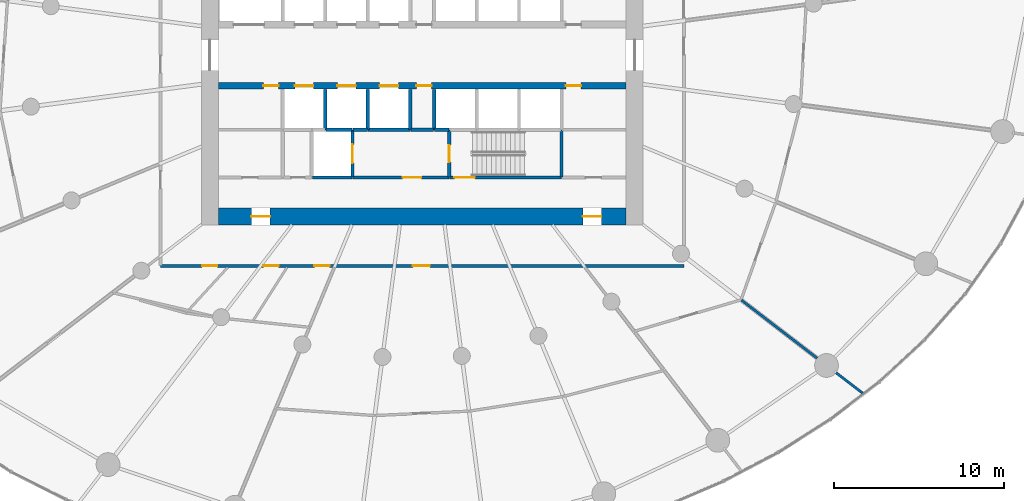
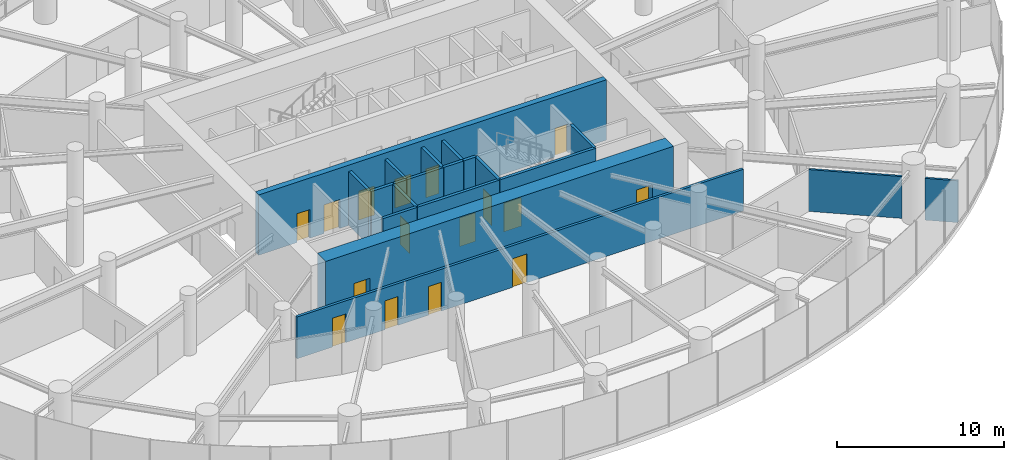
# One storey, part 13 of 19: 20 walls, 16 doors, 16 openings.
"""IFC4 building model written with IfcOpenShell, lengths in metres."""

from ifc_helpers import new_model, si_unit, direction, frame, frame_2d, origin, place, context, subcontext, project, spatial, rectangle, extrude, source, transform, mapped, material, layer, layer_set, type_object, element, fill, save


model = new_model("IFC4")

# Units and contexts
model_context = context("Model", 3, precision=1e-05, world=origin(), true_north=direction((0.0, 1.0)))
body_context = subcontext(model_context, "Body", "Model", "MODEL_VIEW")
ifc_project = project(units=[si_unit("LENGTHUNIT", "METRE"), si_unit("AREAUNIT", "SQUARE_METRE"), si_unit("VOLUMEUNIT", "CUBIC_METRE"), si_unit("PLANEANGLEUNIT", "RADIAN"), si_unit("MASSUNIT", "GRAM", prefix="KILO")], contexts=[model_context])

# Site, building, storey
site_placement = place(None, origin())
site = spatial("IfcSite", under=ifc_project, at=site_placement, CompositionType="ELEMENT")
building_placement = place(site_placement, origin())
building = spatial("IfcBuilding", under=site, at=building_placement, Name="Spindrift Exchange Tower", CompositionType="ELEMENT")
storey_placement = place(building_placement, frame((0.0, 0.0, 49.0)))
storey = spatial("IfcBuildingStorey", under=building, at=storey_placement, Name="L11", CompositionType="ELEMENT", Elevation=49.0)

# Wall, openings, doors
ifc_material_1 = material(Name="Concrete 80 MPa", Category="concrete")
ifc_layer_1 = layer(ifc_material_1, 1.0)
ifc_layer_set_1 = layer_set([ifc_layer_1], Name="RC Core Wall 1000 Concrete 80 MPa")
wall_type_1 = type_object("IfcWallType", Name="RC Core Wall 1000 Concrete 80 MPa", PredefinedType="SHEAR", material=ifc_layer_set_1)
wall_1_placement = place(storey_placement, frame((40.0, 38.5, 0.0), z_axis=(0.0, 0.0, 1.0), x_axis=(1.0, 0.0, 0.0)))
wall_1 = element("IfcWall", 1, at=wall_1_placement, inside=storey, type_object=wall_type_1, Name="Core wall S L11", PredefinedType="SHEAR", context=body_context, shape_type="SweptSolid", body=[
    extrude(rectangle(XDim=24.0, YDim=1.0, at=frame_2d((12.0, 0.0))), origin(), (0.0, 0.0, 1.0), 4.39990234375),
])
opening_1_placement = place(wall_1_placement, frame((21.449951171875, 0.0, 0.0)))
opening_1 = element("IfcOpeningElement", 2, at=opening_1_placement, cuts=wall_1, Name="Opening L11-D22", PredefinedType="OPENING", context=body_context, shape_type="SweptSolid", body=[
    extrude(rectangle(XDim=1.10009765625, YDim=2.10009765625, at=frame_2d((0.550048828125, 1.050048828125))), frame((0.0, 0.510009765625, 0.0), z_axis=(0.0, -1.0, 0.0), x_axis=(1.0, 0.0, 0.0)), (0.0, 0.0, 1.0), 1.02001953125),
])
opening_2_placement = place(wall_1_placement, frame((1.949951171875, 0.0, 0.0)))
opening_2 = element("IfcOpeningElement", 3, at=opening_2_placement, cuts=wall_1, Name="Opening L11-D23", PredefinedType="OPENING", context=body_context, shape_type="SweptSolid", body=[
    extrude(rectangle(XDim=1.10009765625, YDim=2.10009765625, at=frame_2d((0.550048828125, 1.050048828125))), frame((0.0, 0.510009765625, 0.0), z_axis=(0.0, -1.0, 0.0), x_axis=(1.0, 0.0, 0.0)), (0.0, 0.0, 1.0), 1.02001953125),
])
ifc_material_2 = material(Name="Steel fire door", Category="steel")
door_type_1 = type_object("IfcDoorType", Name="DR-STAIR-1100", OperationType="NOTDEFINED", PredefinedType="DOOR", material=ifc_material_2)
shared_shape_1 = source(origin(), body_context, "Body", "SweptSolid", [
    extrude(rectangle(XDim=1.10009765625, YDim=2.10009765625, at=frame_2d((0.550048828125, 1.050048828125))), frame((0.0, 0.02490234375, 0.0), z_axis=(0.0, -1.0, 0.0), x_axis=(1.0, 0.0, 0.0)), (0.0, 0.0, 1.0), 0.050048828125),
])
door_1_placement = place(opening_1_placement, origin())
door_1 = element("IfcDoor", 4, at=door_1_placement, inside=storey, type_object=door_type_1, Name="L11 Stair door 22", OperationType="SINGLE_SWING_LEFT", OverallHeight=2.10009765625, OverallWidth=1.10009765625, PredefinedType="DOOR", context=body_context, shape_type="MappedRepresentation", body=[
    mapped(shared_shape_1, transform((0.0, 0.0, 0.0), scale=1.0)),
])
fill(opening_1, door_1)
door_2_placement = place(opening_2_placement, origin())
door_2 = element("IfcDoor", 5, at=door_2_placement, inside=storey, type_object=door_type_1, Name="L11 Stair door 23", OperationType="SINGLE_SWING_RIGHT", OverallHeight=2.10009765625, OverallWidth=1.10009765625, PredefinedType="DOOR", context=body_context, shape_type="MappedRepresentation", body=[
    mapped(shared_shape_1, transform((0.0, 0.0, 0.0), scale=1.0)),
])
fill(opening_2, door_2)

ifc_layer_2 = layer(ifc_material_1, 0.39990234375)
ifc_layer_set_2 = layer_set([ifc_layer_2], Name="RC Spine Wall 400 Concrete 80 MPa")
wall_type_2 = type_object("IfcWallType", Name="RC Spine Wall 400 Concrete 80 MPa", PredefinedType="SHEAR", material=ifc_layer_set_2)
wall_2_placement = place(storey_placement, frame((40.0, 46.199951171875, 0.0), z_axis=(0.0, 0.0, 1.0), x_axis=(1.0, 0.0, 0.0)))
wall_2 = element("IfcWall", 6, at=wall_2_placement, inside=storey, type_object=wall_type_2, Name="Core spine wall S L11", PredefinedType="SHEAR", context=body_context, shape_type="SweptSolid", body=[
    extrude(rectangle(XDim=24.0, YDim=0.39990234375, at=frame_2d((12.0, 0.0))), origin(), (0.0, 0.0, 1.0), 4.39990234375),
])
opening_3_placement = place(wall_2_placement, frame((4.5, 0.0, 0.0)))
opening_3 = element("IfcOpeningElement", 7, at=opening_3_placement, cuts=wall_2, Name="Opening L11-D6", PredefinedType="OPENING", context=body_context, shape_type="SweptSolid", body=[
    extrude(rectangle(XDim=1.10009765625, YDim=2.10009765625, at=frame_2d((0.550048828125, 1.050048828125))), frame((0.0, 0.2099609375, 0.0), z_axis=(0.0, -1.0, 0.0), x_axis=(1.0, 0.0, 0.0)), (0.0, 0.0, 1.0), 0.419921875),
])
opening_4_placement = place(wall_2_placement, frame((7.0, 0.0, 0.0)))
opening_4 = element("IfcOpeningElement", 8, at=opening_4_placement, cuts=wall_2, Name="Opening L11-D7", PredefinedType="OPENING", context=body_context, shape_type="SweptSolid", body=[
    extrude(rectangle(XDim=1.10009765625, YDim=2.10009765625, at=frame_2d((0.550048828125, 1.050048828125))), frame((0.0, 0.2099609375, 0.0), z_axis=(0.0, -1.0, 0.0), x_axis=(1.0, 0.0, 0.0)), (0.0, 0.0, 1.0), 0.419921875),
])
opening_5_placement = place(wall_2_placement, frame((9.5, 0.0, 0.0)))
opening_5 = element("IfcOpeningElement", 9, at=opening_5_placement, cuts=wall_2, Name="Opening L11-D8", PredefinedType="OPENING", context=body_context, shape_type="SweptSolid", body=[
    extrude(rectangle(XDim=1.10009765625, YDim=2.10009765625, at=frame_2d((0.550048828125, 1.050048828125))), frame((0.0, 0.2099609375, 0.0), z_axis=(0.0, -1.0, 0.0), x_axis=(1.0, 0.0, 0.0)), (0.0, 0.0, 1.0), 0.419921875),
])
opening_6_placement = place(wall_2_placement, frame((20.449951171875, 0.0, 0.0)))
opening_6 = element("IfcOpeningElement", 10, at=opening_6_placement, cuts=wall_2, Name="Opening L11-D49", PredefinedType="OPENING", context=body_context, shape_type="SweptSolid", body=[
    extrude(rectangle(XDim=0.89990234375, YDim=2.10009765625, at=frame_2d((0.449951171875, 1.050048828125))), frame((0.0, 0.2099609375, 0.0), z_axis=(0.0, -1.0, 0.0), x_axis=(1.0, 0.0, 0.0)), (0.0, 0.0, 1.0), 0.419921875),
])
opening_7_placement = place(wall_2_placement, frame((2.64990234375, 0.0, 0.0)))
opening_7 = element("IfcOpeningElement", 11, at=opening_7_placement, cuts=wall_2, Name="Opening L11-D54", PredefinedType="OPENING", context=body_context, shape_type="SweptSolid", body=[
    extrude(rectangle(XDim=0.89990234375, YDim=2.10009765625, at=frame_2d((0.449951171875, 1.050048828125))), frame((0.0, 0.2099609375, 0.0), z_axis=(0.0, -1.0, 0.0), x_axis=(1.0, 0.0, 0.0)), (0.0, 0.0, 1.0), 0.419921875),
])
opening_8_placement = place(wall_2_placement, frame((11.64990234375, 0.0, 0.0)))
opening_8 = element("IfcOpeningElement", 12, at=opening_8_placement, cuts=wall_2, Name="Opening L11-D56", PredefinedType="OPENING", context=body_context, shape_type="SweptSolid", body=[
    extrude(rectangle(XDim=0.89990234375, YDim=2.10009765625, at=frame_2d((0.449951171875, 1.050048828125))), frame((0.0, 0.2099609375, 0.0), z_axis=(0.0, -1.0, 0.0), x_axis=(1.0, 0.0, 0.0)), (0.0, 0.0, 1.0), 0.419921875),
])
ifc_material_3 = material(Name="Stainless steel landing door", Category="steel")
door_type_2 = type_object("IfcDoorType", Name="DR-LANDING-1100-SL", OperationType="DOUBLE_DOOR_SLIDING", PredefinedType="USERDEFINED", material=ifc_material_3)
shared_shape_2 = source(origin(), body_context, "Body", "SweptSolid", [
    extrude(rectangle(XDim=1.10009765625, YDim=2.10009765625, at=frame_2d((0.550048828125, 1.050048828125))), frame((0.0, 0.02490234375, 0.0), z_axis=(0.0, -1.0, 0.0), x_axis=(1.0, 0.0, 0.0)), (0.0, 0.0, 1.0), 0.050048828125),
])
door_3_placement = place(opening_3_placement, origin())
door_3 = element("IfcDoor", 13, at=door_3_placement, inside=storey, type_object=door_type_2, Name="L11 Lift landing door 6", ObjectType="LANDING DOOR", OperationType="DOUBLE_DOOR_SLIDING", OverallHeight=2.10009765625, OverallWidth=1.10009765625, PredefinedType="USERDEFINED", context=body_context, shape_type="MappedRepresentation", body=[
    mapped(shared_shape_2, transform((0.0, 0.0, 0.0), scale=1.0)),
])
fill(opening_3, door_3)
door_4_placement = place(opening_4_placement, origin())
door_4 = element("IfcDoor", 14, at=door_4_placement, inside=storey, type_object=door_type_2, Name="L11 Lift landing door 7", ObjectType="LANDING DOOR", OperationType="DOUBLE_DOOR_SLIDING", OverallHeight=2.10009765625, OverallWidth=1.10009765625, PredefinedType="USERDEFINED", context=body_context, shape_type="MappedRepresentation", body=[
    mapped(shared_shape_2, transform((0.0, 0.0, 0.0), scale=1.0)),
])
fill(opening_4, door_4)
door_5_placement = place(opening_5_placement, origin())
door_5 = element("IfcDoor", 15, at=door_5_placement, inside=storey, type_object=door_type_2, Name="L11 Lift landing door 8", ObjectType="LANDING DOOR", OperationType="DOUBLE_DOOR_SLIDING", OverallHeight=2.10009765625, OverallWidth=1.10009765625, PredefinedType="USERDEFINED", context=body_context, shape_type="MappedRepresentation", body=[
    mapped(shared_shape_2, transform((0.0, 0.0, 0.0), scale=1.0)),
])
fill(opening_5, door_5)
ifc_material_4 = material(Name="Steel access door", Category="steel")
door_type_3 = type_object("IfcDoorType", Name="DR-RISER-900", OperationType="NOTDEFINED", PredefinedType="DOOR", material=ifc_material_4)
shared_shape_3 = source(origin(), body_context, "Body", "SweptSolid", [
    extrude(rectangle(XDim=0.89990234375, YDim=2.10009765625, at=frame_2d((0.449951171875, 1.050048828125))), frame((0.0, 0.02490234375, 0.0), z_axis=(0.0, -1.0, 0.0), x_axis=(1.0, 0.0, 0.0)), (0.0, 0.0, 1.0), 0.050048828125),
])
door_6_placement = place(opening_6_placement, origin())
door_6 = element("IfcDoor", 16, at=door_6_placement, inside=storey, type_object=door_type_3, Name="L11 Riser door 49", OperationType="SINGLE_SWING_RIGHT", OverallHeight=2.10009765625, OverallWidth=0.89990234375, PredefinedType="DOOR", context=body_context, shape_type="MappedRepresentation", body=[
    mapped(shared_shape_3, transform((0.0, 0.0, 0.0), scale=1.0)),
])
fill(opening_6, door_6)
door_7_placement = place(opening_7_placement, origin())
door_7 = element("IfcDoor", 17, at=door_7_placement, inside=storey, type_object=door_type_3, Name="L11 Riser door 54", OperationType="SINGLE_SWING_LEFT", OverallHeight=2.10009765625, OverallWidth=0.89990234375, PredefinedType="DOOR", context=body_context, shape_type="MappedRepresentation", body=[
    mapped(shared_shape_3, transform((0.0, 0.0, 0.0), scale=1.0)),
])
fill(opening_7, door_7)
door_8_placement = place(opening_8_placement, origin())
door_8 = element("IfcDoor", 18, at=door_8_placement, inside=storey, type_object=door_type_3, Name="L11 Riser door 56", OperationType="SINGLE_SWING_LEFT", OverallHeight=2.10009765625, OverallWidth=0.89990234375, PredefinedType="DOOR", context=body_context, shape_type="MappedRepresentation", body=[
    mapped(shared_shape_3, transform((0.0, 0.0, 0.0), scale=1.0)),
])
fill(opening_8, door_8)

ifc_material_5 = material(Name="Fire-rated plasterboard partition", Category="gypsum")
ifc_layer_3 = layer(ifc_material_5, 0.179931640625)
ifc_layer_set_3 = layer_set([ifc_layer_3], Name="W-CORR-180")
wall_type_3 = type_object("IfcWallType", Name="W-CORR-180", PredefinedType="PARTITIONING", material=ifc_layer_set_3)
wall_3_placement = place(storey_placement, frame((67.39990234375, 35.60009765625, 0.0), z_axis=(0.0, 0.0, 1.0), x_axis=(-1.0, 0.0, 0.0)))
wall_3 = element("IfcWall", 19, at=wall_3_placement, inside=storey, type_object=wall_type_3, Name="L11 Partition wall 57", PredefinedType="PARTITIONING", context=body_context, shape_type="SweptSolid", body=[
    extrude(rectangle(XDim=30.7998046875, YDim=0.179931640625, at=frame_2d((15.39990234375, 0.0))), origin(), (0.0, 0.0, 1.0), 3.050048828125),
])
opening_9_placement = place(wall_3_placement, frame((27.449951171875, 0.0, 0.0)))
opening_9 = element("IfcOpeningElement", 20, at=opening_9_placement, cuts=wall_3, Name="Opening L11-D24", PredefinedType="OPENING", context=body_context, shape_type="SweptSolid", body=[
    extrude(rectangle(XDim=0.89990234375, YDim=2.10009765625, at=frame_2d((0.449951171875, 1.050048828125))), frame((0.0, 0.099853515625, 0.0), z_axis=(0.0, -1.0, 0.0), x_axis=(1.0, 0.0, 0.0)), (0.0, 0.0, 1.0), 0.199951171875),
])
opening_10_placement = place(wall_3_placement, frame((23.85009765625, 0.0, 0.0)))
opening_10 = element("IfcOpeningElement", 21, at=opening_10_placement, cuts=wall_3, Name="Opening L11-D25", PredefinedType="OPENING", context=body_context, shape_type="SweptSolid", body=[
    extrude(rectangle(XDim=0.89990234375, YDim=2.10009765625, at=frame_2d((0.449951171875, 1.050048828125))), frame((0.0, 0.099853515625, 0.0), z_axis=(0.0, -1.0, 0.0), x_axis=(1.0, 0.0, 0.0)), (0.0, 0.0, 1.0), 0.199951171875),
])
opening_11_placement = place(wall_3_placement, frame((20.85009765625, 0.0, 0.0)))
opening_11 = element("IfcOpeningElement", 22, at=opening_11_placement, cuts=wall_3, Name="Opening L11-D26", PredefinedType="OPENING", context=body_context, shape_type="SweptSolid", body=[
    extrude(rectangle(XDim=0.89990234375, YDim=2.10009765625, at=frame_2d((0.449951171875, 1.050048828125))), frame((0.0, 0.099853515625, 0.0), z_axis=(0.0, -1.0, 0.0), x_axis=(1.0, 0.0, 0.0)), (0.0, 0.0, 1.0), 0.199951171875),
])
opening_12_placement = place(wall_3_placement, frame((14.949951171875, 0.0, 0.0)))
opening_12 = element("IfcOpeningElement", 23, at=opening_12_placement, cuts=wall_3, Name="Opening L11-D27", PredefinedType="OPENING", context=body_context, shape_type="SweptSolid", body=[
    extrude(rectangle(XDim=1.0, YDim=2.10009765625, at=frame_2d((0.5, 1.050048828125))), frame((0.0, 0.099853515625, 0.0), z_axis=(0.0, -1.0, 0.0), x_axis=(1.0, 0.0, 0.0)), (0.0, 0.0, 1.0), 0.199951171875),
])
ifc_material_6 = material(Name="Timber-core fire door", Category="wood")
door_type_4 = type_object("IfcDoorType", Name="DR-ROOM-1000", OperationType="NOTDEFINED", PredefinedType="DOOR", material=ifc_material_6)
shared_shape_4 = source(origin(), body_context, "Body", "SweptSolid", [
    extrude(rectangle(XDim=1.0, YDim=2.10009765625, at=frame_2d((0.5, 1.050048828125))), frame((0.0, 0.02490234375, 0.0), z_axis=(0.0, -1.0, 0.0), x_axis=(1.0, 0.0, 0.0)), (0.0, 0.0, 1.0), 0.050048828125),
])
door_9_placement = place(opening_12_placement, origin())
door_9 = element("IfcDoor", 24, at=door_9_placement, inside=storey, type_object=door_type_4, Name="L11 Door 27", OperationType="SINGLE_SWING_RIGHT", OverallHeight=2.10009765625, OverallWidth=1.0, PredefinedType="DOOR", context=body_context, shape_type="MappedRepresentation", body=[
    mapped(shared_shape_4, transform((0.0, 0.0, 0.0), scale=1.0)),
])
fill(opening_12, door_9)
ifc_material_7 = material(Name="Laminate washroom door", Category="wood")
door_type_5 = type_object("IfcDoorType", Name="DR-WC-900", OperationType="NOTDEFINED", PredefinedType="DOOR", material=ifc_material_7)
shared_shape_5 = source(origin(), body_context, "Body", "SweptSolid", [
    extrude(rectangle(XDim=0.89990234375, YDim=2.10009765625, at=frame_2d((0.449951171875, 1.050048828125))), frame((0.0, 0.02490234375, 0.0), z_axis=(0.0, -1.0, 0.0), x_axis=(1.0, 0.0, 0.0)), (0.0, 0.0, 1.0), 0.050048828125),
])
door_10_placement = place(opening_9_placement, origin())
door_10 = element("IfcDoor", 25, at=door_10_placement, inside=storey, type_object=door_type_5, Name="L11 WC door 24", OperationType="SINGLE_SWING_LEFT", OverallHeight=2.10009765625, OverallWidth=0.89990234375, PredefinedType="DOOR", context=body_context, shape_type="MappedRepresentation", body=[
    mapped(shared_shape_5, transform((0.0, 0.0, 0.0), scale=1.0)),
])
fill(opening_9, door_10)
door_11_placement = place(opening_10_placement, origin())
door_11 = element("IfcDoor", 26, at=door_11_placement, inside=storey, type_object=door_type_5, Name="L11 WC door 25", OperationType="SINGLE_SWING_RIGHT", OverallHeight=2.10009765625, OverallWidth=0.89990234375, PredefinedType="DOOR", context=body_context, shape_type="MappedRepresentation", body=[
    mapped(shared_shape_5, transform((0.0, 0.0, 0.0), scale=1.0)),
])
fill(opening_10, door_11)
door_12_placement = place(opening_11_placement, origin())
door_12 = element("IfcDoor", 27, at=door_12_placement, inside=storey, type_object=door_type_5, Name="L11 WC door 26", OperationType="SINGLE_SWING_LEFT", OverallHeight=2.10009765625, OverallWidth=0.89990234375, PredefinedType="DOOR", context=body_context, shape_type="MappedRepresentation", body=[
    mapped(shared_shape_5, transform((0.0, 0.0, 0.0), scale=1.0)),
])
fill(opening_11, door_12)

# Walls
ifc_layer_4 = layer(ifc_material_5, 0.139892578125)
ifc_layer_set_4 = layer_set([ifc_layer_4], Name="W-PART-140")
wall_type_4 = type_object("IfcWallType", Name="W-PART-140", PredefinedType="PARTITIONING", material=ifc_layer_set_4)
wall_4_placement = place(storey_placement, frame((70.792724609375, 33.579833984375, 0.0), z_axis=(0.0, 0.0, 1.0), x_axis=(0.793369467151, -0.6087404115, 0.0)))
element("IfcWall", 28, at=wall_4_placement, inside=storey, type_object=wall_type_4, Name="L11 Partition wall 88", PredefinedType="PARTITIONING", context=body_context, shape_type="SweptSolid", body=[
    extrude(rectangle(XDim=5.60791015625, YDim=0.139892578125, at=frame_2d((2.803955078125, 0.0))), origin(), (0.0, 0.0, 1.0), 3.050048828125),
])
wall_5_placement = place(storey_placement, frame((76.359375, 29.30859375, 0.0), z_axis=(0.0, 0.0, 1.0), x_axis=(0.793312100237, -0.608815170325, 0.0)))
element("IfcWall", 29, at=wall_5_placement, inside=storey, type_object=wall_type_4, Name="L11 Partition wall 120", PredefinedType="PARTITIONING", context=body_context, shape_type="SweptSolid", body=[
    extrude(rectangle(XDim=1.97705078125, YDim=0.139892578125, at=frame_2d((0.988525390625, 0.0))), origin(), (0.0, 0.0, 1.0), 3.050048828125),
])

# Wall, opening, door
ifc_material_8 = material(Name="Concrete 40 MPa", Category="concrete")
ifc_layer_5 = layer(ifc_material_8, 0.199951171875)
ifc_layer_set_5 = layer_set([ifc_layer_5], Name="W-SHAFT-200")
wall_type_5 = type_object("IfcWallType", Name="W-SHAFT-200", PredefinedType="SOLIDWALL", material=ifc_layer_set_5)
wall_6_placement = place(storey_placement, frame((47.89990234375, 40.830078125, 0.0), z_axis=(0.0, 0.0, 1.0), x_axis=(0.0, 1.0, 0.0)))
wall_6 = element("IfcWall", 30, at=wall_6_placement, inside=storey, type_object=wall_type_5, Name="L11 Shaft wall 8", PredefinedType="SOLIDWALL", context=body_context, shape_type="SweptSolid", body=[
    extrude(rectangle(XDim=2.77001953125, YDim=0.199951171875, at=frame_2d((1.385009765625, 0.0))), origin(), (0.0, 0.0, 1.0), 3.949951171875),
])
opening_13_placement = place(wall_6_placement, frame((0.820068359375, 0.0, 0.0)))
opening_13 = element("IfcOpeningElement", 31, at=opening_13_placement, cuts=wall_6, Name="Opening L11-D10", PredefinedType="OPENING", context=body_context, shape_type="SweptSolid", body=[
    extrude(rectangle(XDim=1.10009765625, YDim=2.10009765625, at=frame_2d((0.550048828125, 1.050048828125))), frame((0.0, 0.10986328125, 0.0), z_axis=(0.0, -1.0, 0.0), x_axis=(1.0, 0.0, 0.0)), (0.0, 0.0, 1.0), 0.219970703125),
])
door_13_placement = place(opening_13_placement, origin())
door_13 = element("IfcDoor", 32, at=door_13_placement, inside=storey, type_object=door_type_2, Name="L11 Lift landing door 10", ObjectType="LANDING DOOR", OperationType="DOUBLE_DOOR_SLIDING", OverallHeight=2.10009765625, OverallWidth=1.10009765625, PredefinedType="USERDEFINED", context=body_context, shape_type="MappedRepresentation", body=[
    mapped(shared_shape_2, transform((0.0, 0.0, 0.0), scale=1.0)),
])
fill(opening_13, door_13)

# Walls
wall_7_placement = place(storey_placement, frame((48.800048828125, 43.60009765625, 0.0), z_axis=(0.0, 0.0, 1.0), x_axis=(1.0, 0.0, 0.0)))
element("IfcWall", 33, at=wall_7_placement, inside=storey, type_object=wall_type_5, Name="L11 Shaft wall 17", PredefinedType="SOLIDWALL", context=body_context, shape_type="SweptSolid", body=[
    extrude(rectangle(XDim=2.5, YDim=0.199951171875, at=frame_2d((1.25, 0.0))), origin(), (0.0, 0.0, 1.0), 3.949951171875),
])
wall_8_placement = place(storey_placement, frame((45.530029296875, 40.800048828125, 0.0), z_axis=(0.0, 0.0, 1.0), x_axis=(1.0, 0.0, 0.0)))
element("IfcWall", 34, at=wall_8_placement, inside=storey, type_object=wall_type_5, Name="L11 Shaft wall 21", PredefinedType="SOLIDWALL", context=body_context, shape_type="SweptSolid", body=[
    extrude(rectangle(XDim=2.340087890625, YDim=0.199951171875, at=frame_2d((1.169921875, 0.0))), origin(), (0.0, 0.0, 1.0), 3.949951171875),
])
wall_9_placement = place(storey_placement, frame((46.300048828125, 43.60009765625, 0.0), z_axis=(0.0, 0.0, 1.0), x_axis=(0.0, 1.0, 0.0)))
element("IfcWall", 35, at=wall_9_placement, inside=storey, type_object=wall_type_5, Name="L11 Shaft wall 25", PredefinedType="SOLIDWALL", context=body_context, shape_type="SweptSolid", body=[
    extrude(rectangle(XDim=2.389892578125, YDim=0.199951171875, at=frame_2d((1.19482421875, 0.0))), origin(), (0.0, 0.0, 1.0), 3.949951171875),
])
for number, where, z_axis, x_axis, name in (
    (36, (48.800048828125, 43.6298828125, 0.0), (0.0, 0.0, 1.0), (0.0, 1.0, 0.0), "L11 Shaft wall 27"),
    (37, (51.300048828125, 43.6298828125, 0.0), (0.0, 0.0, 1.0), (0.0, 1.0, 0.0), "L11 Shaft wall 29"),
):
    element("IfcWall", number, at=place(storey_placement, frame(where, z_axis=z_axis, x_axis=x_axis)), inside=storey, type_object=wall_type_5, Name=name, PredefinedType="SOLIDWALL", context=body_context, shape_type="SweptSolid", body=[
        extrude(rectangle(XDim=2.360107421875, YDim=0.199951171875, at=frame_2d((1.18017578125, 0.0))), origin(), (0.0, 0.0, 1.0), 3.949951171875),
    ])
wall_10_placement = place(storey_placement, frame((52.699951171875, 45.989990234375, 0.0), z_axis=(0.0, 0.0, 1.0), x_axis=(0.0, -1.0, 0.0)))
element("IfcWall", 38, at=wall_10_placement, inside=storey, type_object=wall_type_5, Name="L11 Shaft wall 31", PredefinedType="SOLIDWALL", context=body_context, shape_type="SweptSolid", body=[
    extrude(rectangle(XDim=2.389892578125, YDim=0.199951171875, at=frame_2d((1.19482421875, 0.0))), origin(), (0.0, 0.0, 1.0), 3.949951171875),
])
wall_11_placement = place(storey_placement, frame((46.330078125, 43.60009765625, 0.0), z_axis=(0.0, 0.0, 1.0), x_axis=(1.0, 0.0, 0.0)))
element("IfcWall", 39, at=wall_11_placement, inside=storey, type_object=wall_type_5, Name="L11 Shaft wall 44", PredefinedType="SOLIDWALL", context=body_context, shape_type="SweptSolid", body=[
    extrude(rectangle(XDim=1.5400390625, YDim=0.199951171875, at=frame_2d((0.77001953125, 0.0))), origin(), (0.0, 0.0, 1.0), 3.949951171875),
])
wall_12_placement = place(storey_placement, frame((52.669921875, 43.60009765625, 0.0), z_axis=(0.0, 0.0, 1.0), x_axis=(-1.0, 0.0, 0.0)))
element("IfcWall", 40, at=wall_12_placement, inside=storey, type_object=wall_type_5, Name="L11 Shaft wall 48", PredefinedType="SOLIDWALL", context=body_context, shape_type="SweptSolid", body=[
    extrude(rectangle(XDim=1.33984375, YDim=0.199951171875, at=frame_2d((0.669921875, 0.0))), origin(), (0.0, 0.0, 1.0), 3.949951171875),
])
wall_13_placement = place(storey_placement, frame((47.929931640625, 43.60009765625, 0.0), z_axis=(0.0, 0.0, 1.0), x_axis=(1.0, 0.0, 0.0)))
element("IfcWall", 41, at=wall_13_placement, inside=storey, type_object=wall_type_5, Name="L11 Shaft wall 50", PredefinedType="SOLIDWALL", context=body_context, shape_type="SweptSolid", body=[
    extrude(rectangle(XDim=0.840087890625, YDim=0.199951171875, at=frame_2d((0.419921875, 0.0))), origin(), (0.0, 0.0, 1.0), 3.949951171875),
])

# Wall, opening, door
ifc_layer_6 = layer(ifc_material_8, 0.199951171875)
ifc_layer_set_6 = layer_set([ifc_layer_6], Name="W-SHAFT-200-LB")
wall_type_6 = type_object("IfcWallType", Name="W-SHAFT-200-LB", PredefinedType="SOLIDWALL", material=ifc_layer_set_6)
wall_14_placement = place(storey_placement, frame((53.60009765625, 40.800048828125, 0.0), z_axis=(0.0, 0.0, 1.0), x_axis=(1.0, 0.0, 0.0)))
wall_14 = element("IfcWall", 42, at=wall_14_placement, inside=storey, type_object=wall_type_6, Name="L11 Shaft wall 2", PredefinedType="SOLIDWALL", context=body_context, shape_type="SweptSolid", body=[
    extrude(rectangle(XDim=6.599853515625, YDim=0.199951171875, at=frame_2d((3.2998046875, 0.0))), origin(), (0.0, 0.0, 1.0), 3.949951171875),
])
opening_14_placement = place(wall_14_placement, frame((0.300048828125, 0.0, 0.0)))
opening_14 = element("IfcOpeningElement", 43, at=opening_14_placement, cuts=wall_14, Name="Opening L11-D16", PredefinedType="OPENING", context=body_context, shape_type="SweptSolid", body=[
    extrude(rectangle(XDim=1.199951171875, YDim=2.10009765625, at=frame_2d((0.60009765625, 1.050048828125))), frame((0.0, 0.10986328125, 0.0), z_axis=(0.0, -1.0, 0.0), x_axis=(1.0, 0.0, 0.0)), (0.0, 0.0, 1.0), 0.219970703125),
])
door_type_6 = type_object("IfcDoorType", Name="DR-STAIR-1200", OperationType="NOTDEFINED", PredefinedType="DOOR", material=ifc_material_2)
shared_shape_6 = source(origin(), body_context, "Body", "SweptSolid", [
    extrude(rectangle(XDim=1.199951171875, YDim=2.10009765625, at=frame_2d((0.60009765625, 1.050048828125))), frame((0.0, 0.02490234375, 0.0), z_axis=(0.0, -1.0, 0.0), x_axis=(1.0, 0.0, 0.0)), (0.0, 0.0, 1.0), 0.050048828125),
])
door_14_placement = place(opening_14_placement, origin())
door_14 = element("IfcDoor", 44, at=door_14_placement, inside=storey, type_object=door_type_6, Name="L11 Stair door 16", OperationType="SINGLE_SWING_LEFT", OverallHeight=2.10009765625, OverallWidth=1.199951171875, PredefinedType="DOOR", context=body_context, shape_type="MappedRepresentation", body=[
    mapped(shared_shape_6, transform((0.0, 0.0, 0.0), scale=1.0)),
])
fill(opening_14, door_14)

wall_15_placement = place(storey_placement, frame((47.89990234375, 40.800048828125, 0.0), z_axis=(0.0, 0.0, 1.0), x_axis=(1.0, 0.0, 0.0)))
wall_15 = element("IfcWall", 45, at=wall_15_placement, inside=storey, type_object=wall_type_6, Name="L11 Shaft wall 3", PredefinedType="SOLIDWALL", context=body_context, shape_type="SweptSolid", body=[
    extrude(rectangle(XDim=5.670166015625, YDim=0.199951171875, at=frame_2d((2.8349609375, 0.0))), origin(), (0.0, 0.0, 1.0), 3.949951171875),
])
opening_15_placement = place(wall_15_placement, frame((2.949951171875, 0.0, 0.0)))
opening_15 = element("IfcOpeningElement", 46, at=opening_15_placement, cuts=wall_15, Name="Opening L11-D18", PredefinedType="OPENING", context=body_context, shape_type="SweptSolid", body=[
    extrude(rectangle(XDim=1.10009765625, YDim=2.10009765625, at=frame_2d((0.550048828125, 1.050048828125))), frame((0.0, 0.10986328125, 0.0), z_axis=(0.0, -1.0, 0.0), x_axis=(1.0, 0.0, 0.0)), (0.0, 0.0, 1.0), 0.219970703125),
])
door_type_7 = type_object("IfcDoorType", Name="DR-LOBBY-1100", OperationType="NOTDEFINED", PredefinedType="DOOR", material=ifc_material_6)
shared_shape_7 = source(origin(), body_context, "Body", "SweptSolid", [
    extrude(rectangle(XDim=1.10009765625, YDim=2.10009765625, at=frame_2d((0.550048828125, 1.050048828125))), frame((0.0, 0.02490234375, 0.0), z_axis=(0.0, -1.0, 0.0), x_axis=(1.0, 0.0, 0.0)), (0.0, 0.0, 1.0), 0.050048828125),
])
door_15_placement = place(opening_15_placement, origin())
door_15 = element("IfcDoor", 47, at=door_15_placement, inside=storey, type_object=door_type_7, Name="L11 Lobby door 18", OperationType="SINGLE_SWING_LEFT", OverallHeight=2.10009765625, OverallWidth=1.10009765625, PredefinedType="DOOR", context=body_context, shape_type="MappedRepresentation", body=[
    mapped(shared_shape_7, transform((0.0, 0.0, 0.0), scale=1.0)),
])
fill(opening_15, door_15)

# Wall
wall_16_placement = place(storey_placement, frame((60.199951171875, 40.830078125, 0.0), z_axis=(0.0, 0.0, 1.0), x_axis=(0.0, 1.0, 0.0)))
element("IfcWall", 48, at=wall_16_placement, inside=storey, type_object=wall_type_6, Name="L11 Shaft wall 10", PredefinedType="SOLIDWALL", context=body_context, shape_type="SweptSolid", body=[
    extrude(rectangle(XDim=2.77001953125, YDim=0.199951171875, at=frame_2d((1.385009765625, 0.0))), origin(), (0.0, 0.0, 1.0), 3.949951171875),
])

# Wall, opening, door
wall_17_placement = place(storey_placement, frame((53.60009765625, 43.60009765625, 0.0), z_axis=(0.0, 0.0, 1.0), x_axis=(0.0, -1.0, 0.0)))
wall_17 = element("IfcWall", 49, at=wall_17_placement, inside=storey, type_object=wall_type_6, Name="L11 Shaft wall 11", PredefinedType="SOLIDWALL", context=body_context, shape_type="SweptSolid", body=[
    extrude(rectangle(XDim=2.77001953125, YDim=0.199951171875, at=frame_2d((1.385009765625, 0.0))), origin(), (0.0, 0.0, 1.0), 3.949951171875),
])
opening_16_placement = place(wall_17_placement, frame((0.89990234375, 0.0, 0.0)))
opening_16 = element("IfcOpeningElement", 50, at=opening_16_placement, cuts=wall_17, Name="Opening L11-D17", PredefinedType="OPENING", context=body_context, shape_type="SweptSolid", body=[
    extrude(rectangle(XDim=1.0, YDim=2.10009765625, at=frame_2d((0.5, 1.050048828125))), frame((0.0, 0.10986328125, 0.0), z_axis=(0.0, -1.0, 0.0), x_axis=(1.0, 0.0, 0.0)), (0.0, 0.0, 1.0), 0.219970703125),
])
door_type_8 = type_object("IfcDoorType", Name="DR-STAIR-1000", OperationType="NOTDEFINED", PredefinedType="DOOR", material=ifc_material_2)
shared_shape_8 = source(origin(), body_context, "Body", "SweptSolid", [
    extrude(rectangle(XDim=1.0, YDim=2.10009765625, at=frame_2d((0.5, 1.050048828125))), frame((0.0, 0.02490234375, 0.0), z_axis=(0.0, -1.0, 0.0), x_axis=(1.0, 0.0, 0.0)), (0.0, 0.0, 1.0), 0.050048828125),
])
door_16_placement = place(opening_16_placement, origin())
door_16 = element("IfcDoor", 51, at=door_16_placement, inside=storey, type_object=door_type_8, Name="L11 Stair door 17", OperationType="SINGLE_SWING_RIGHT", OverallHeight=2.10009765625, OverallWidth=1.0, PredefinedType="DOOR", context=body_context, shape_type="MappedRepresentation", body=[
    mapped(shared_shape_8, transform((0.0, 0.0, 0.0), scale=1.0)),
])
fill(opening_16, door_16)

# Wall
wall_18_placement = place(storey_placement, frame((52.72998046875, 43.60009765625, 0.0), z_axis=(0.0, 0.0, 1.0), x_axis=(1.0, 0.0, 0.0)))
element("IfcWall", 52, at=wall_18_placement, inside=storey, type_object=wall_type_6, Name="L11 Shaft wall 52", PredefinedType="SOLIDWALL", context=body_context, shape_type="SweptSolid", body=[
    extrude(rectangle(XDim=0.840087890625, YDim=0.199951171875, at=frame_2d((0.419921875, 0.0))), origin(), (0.0, 0.0, 1.0), 3.949951171875),
])

save(model, "model.ifc")
